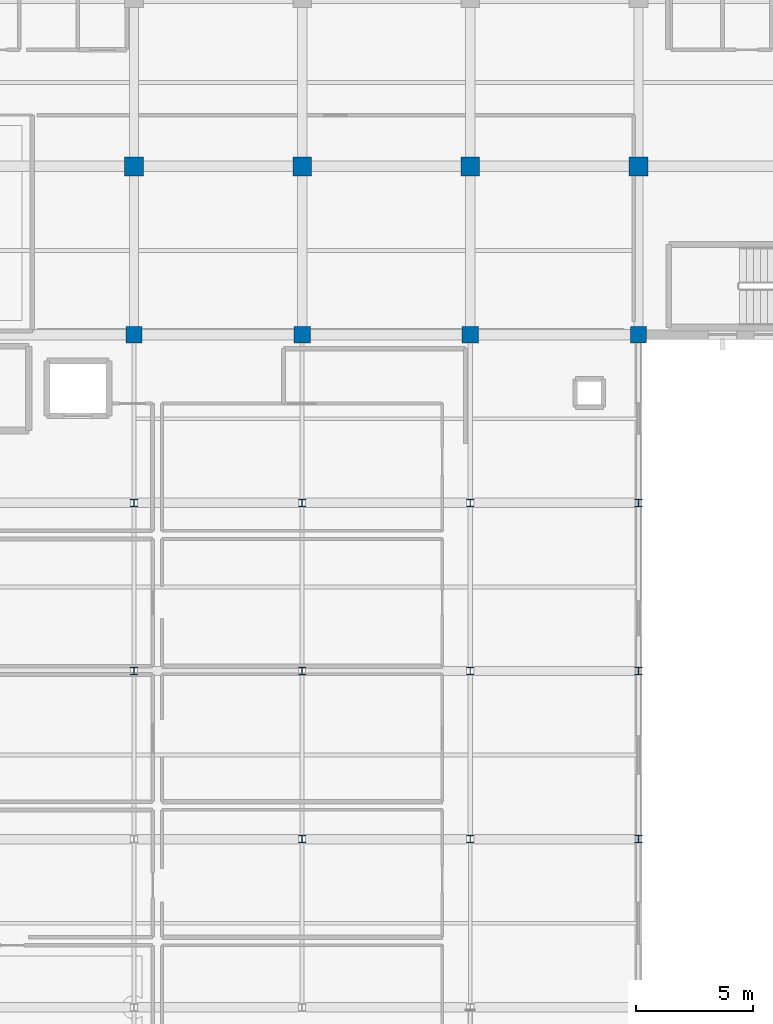
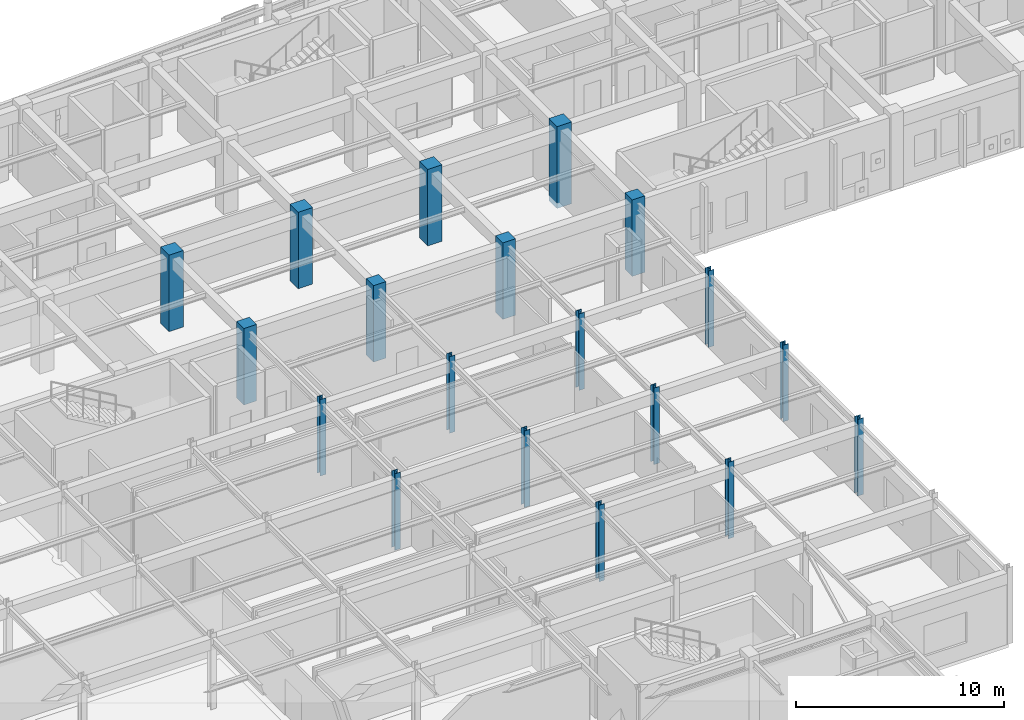
# One storey, part 6 of 106: 19 columns.
"""IFC4 building model written with IfcOpenShell, lengths in metres."""

from ifc_helpers import new_model, si_unit, direction, frame, origin, origin_2d, place, context, subcontext, project, spatial, rectangle, i_section, extrude, material, material_profile, profile_set, type_object, element, save


model = new_model("IFC4")

# Units and contexts
model_context = context("Model", 3, precision=1e-05, world=origin(), true_north=direction((0.0, 1.0)))
body_context = subcontext(model_context, "Body", "Model", "MODEL_VIEW")
ifc_project = project(units=[si_unit("LENGTHUNIT", "METRE"), si_unit("AREAUNIT", "SQUARE_METRE"), si_unit("VOLUMEUNIT", "CUBIC_METRE"), si_unit("PLANEANGLEUNIT", "RADIAN"), si_unit("MASSUNIT", "GRAM", prefix="KILO")], contexts=[model_context])

# Site, building, storey
site_placement = place(None, origin())
site = spatial("IfcSite", under=ifc_project, at=site_placement, CompositionType="ELEMENT")
building_placement = place(site_placement, origin())
building = spatial("IfcBuilding", under=site, at=building_placement, Name="Carrowvane Square Congress Hotel", CompositionType="ELEMENT")
storey_placement = place(building_placement, frame((0.0, 0.0, 10.5)))
storey = spatial("IfcBuildingStorey", under=building, at=storey_placement, Name="L02", CompositionType="ELEMENT", Elevation=10.5)

# Columns
ifc_material_1 = material(Name="Concrete C40/50", Category="concrete")
ifc_material_profile_1 = material_profile(ifc_material_1, rectangle(XDim=0.699951171875, YDim=0.699951171875, at=origin_2d()), Name="RC 700x700")
ifc_profile_set_1 = profile_set([ifc_material_profile_1], Name="Concrete C40/50")
column_type_1 = type_object("IfcColumnType", Name="COL-RC-700", PredefinedType="COLUMN", material=ifc_profile_set_1)
for number, where, z_axis, x_axis, name in (
    (1, (47.60009765625, 91.800048828125, 0.0), (0.0, 0.0, 1.0), (1.0, 0.0, 0.0), "L02 column 6/N"),
    (2, (54.800048828125, 91.800048828125, 0.0), (0.0, 0.0, 1.0), (1.0, 0.0, 0.0), "L02 column 7/N"),
    (3, (62.0, 91.800048828125, 0.0), (0.0, 0.0, 1.0), (1.0, 0.0, 0.0), "L02 column 8/N"),
    (4, (69.199951171875, 91.800048828125, 0.0), (0.0, 0.0, 1.0), (1.0, 0.0, 0.0), "L02 column 9/N"),
):
    element("IfcColumn", number, at=place(storey_placement, frame(where, z_axis=z_axis, x_axis=x_axis)), inside=storey, type_object=column_type_1, Name=name, PredefinedType="COLUMN", context=body_context, shape_type="SweptSolid", body=[
        extrude(rectangle(XDim=0.699951171875, YDim=0.699951171875, at=origin_2d()), origin(), (0.0, 0.0, 1.0), 4.5),
    ])
ifc_material_2 = material(Name="Concrete C40/50", Category="concrete")
ifc_material_profile_2 = material_profile(ifc_material_2, rectangle(XDim=0.800048828125, YDim=0.800048828125, at=origin_2d()), Name="RC 800x800")
ifc_profile_set_2 = profile_set([ifc_material_profile_2], Name="Concrete C40/50")
column_type_2 = type_object("IfcColumnType", Name="COL-RC-800", PredefinedType="COLUMN", material=ifc_profile_set_2)
for number, where, z_axis, x_axis, name in (
    (5, (47.60009765625, 99.0, 0.0), (0.0, 0.0, 1.0), (1.0, 0.0, 0.0), "L02 column 6/P"),
    (6, (54.800048828125, 99.0, 0.0), (0.0, 0.0, 1.0), (1.0, 0.0, 0.0), "L02 column 7/P"),
    (7, (62.0, 99.0, 0.0), (0.0, 0.0, 1.0), (1.0, 0.0, 0.0), "L02 column 8/P"),
):
    element("IfcColumn", number, at=place(storey_placement, frame(where, z_axis=z_axis, x_axis=x_axis)), inside=storey, type_object=column_type_2, Name=name, PredefinedType="COLUMN", context=body_context, shape_type="SweptSolid", body=[
        extrude(rectangle(XDim=0.800048828125, YDim=0.800048828125, at=origin_2d()), origin(), (0.0, 0.0, 1.0), 4.5),
    ])
column_placement = place(storey_placement, frame((69.199951171875, 99.0, -0.320068359375), z_axis=(0.0, 0.0, 1.0), x_axis=(1.0, 0.0, 0.0)))
element("IfcColumn", 8, at=column_placement, inside=storey, type_object=column_type_2, Name="L02 column 9/P", PredefinedType="COLUMN", context=body_context, shape_type="SweptSolid", body=[
    extrude(rectangle(XDim=0.800048828125, YDim=0.800048828125, at=origin_2d()), origin(), (0.0, 0.0, 1.0), 4.820068359375),
])
ifc_material_3 = material(Name="Steel S355", Category="steel")
ifc_material_profile_3 = material_profile(ifc_material_3, i_section(OverallWidth=0.30908203125, OverallDepth=0.320556640625, WebThickness=0.013916015625, FlangeThickness=0.021728515625, FilletRadius=0.01513671875, at=origin_2d()), Name="UKC 305x305x137")
ifc_profile_set_3 = profile_set([ifc_material_profile_3], Name="Steel S355")
column_type_3 = type_object("IfcColumnType", Name="COL-ST-UKC305", PredefinedType="COLUMN", material=ifc_profile_set_3)
for number, where, z_axis, x_axis, name in (
    (9, (47.60009765625, 77.39990234375, 0.0), (0.0, 0.0, 1.0), (1.0, 0.0, 0.0), "L02 column 6/L"),
    (10, (47.60009765625, 84.60009765625, 0.0), (0.0, 0.0, 1.0), (1.0, 0.0, 0.0), "L02 column 6/M"),
    (11, (54.800048828125, 70.199951171875, 0.0), (0.0, 0.0, 1.0), (1.0, 0.0, 0.0), "L02 column 7/K"),
    (12, (54.800048828125, 77.39990234375, 0.0), (0.0, 0.0, 1.0), (1.0, 0.0, 0.0), "L02 column 7/L"),
    (13, (54.800048828125, 84.60009765625, 0.0), (0.0, 0.0, 1.0), (1.0, 0.0, 0.0), "L02 column 7/M"),
    (14, (62.0, 70.199951171875, 0.0), (0.0, 0.0, 1.0), (1.0, 0.0, 0.0), "L02 column 8/K"),
    (15, (62.0, 77.39990234375, 0.0), (0.0, 0.0, 1.0), (1.0, 0.0, 0.0), "L02 column 8/L"),
    (16, (62.0, 84.60009765625, 0.0), (0.0, 0.0, 1.0), (1.0, 0.0, 0.0), "L02 column 8/M"),
    (17, (69.199951171875, 70.199951171875, 0.0), (0.0, 0.0, 1.0), (1.0, 0.0, 0.0), "L02 column 9/K"),
    (18, (69.199951171875, 77.39990234375, 0.0), (0.0, 0.0, 1.0), (1.0, 0.0, 0.0), "L02 column 9/L"),
    (19, (69.199951171875, 84.60009765625, 0.0), (0.0, 0.0, 1.0), (1.0, 0.0, 0.0), "L02 column 9/M"),
):
    element("IfcColumn", number, at=place(storey_placement, frame(where, z_axis=z_axis, x_axis=x_axis)), inside=storey, type_object=column_type_3, Name=name, PredefinedType="COLUMN", context=body_context, shape_type="SweptSolid", body=[
        extrude(i_section(OverallWidth=0.30908203125, OverallDepth=0.320556640625, WebThickness=0.013916015625, FlangeThickness=0.021728515625, FilletRadius=0.01513671875, at=origin_2d()), origin(), (0.0, 0.0, 1.0), 4.5),
    ])

save(model, "model.ifc")
